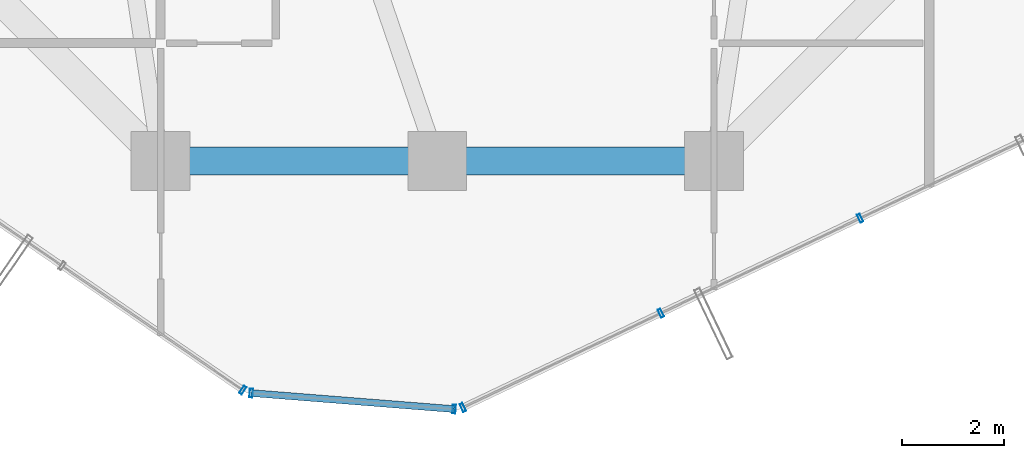
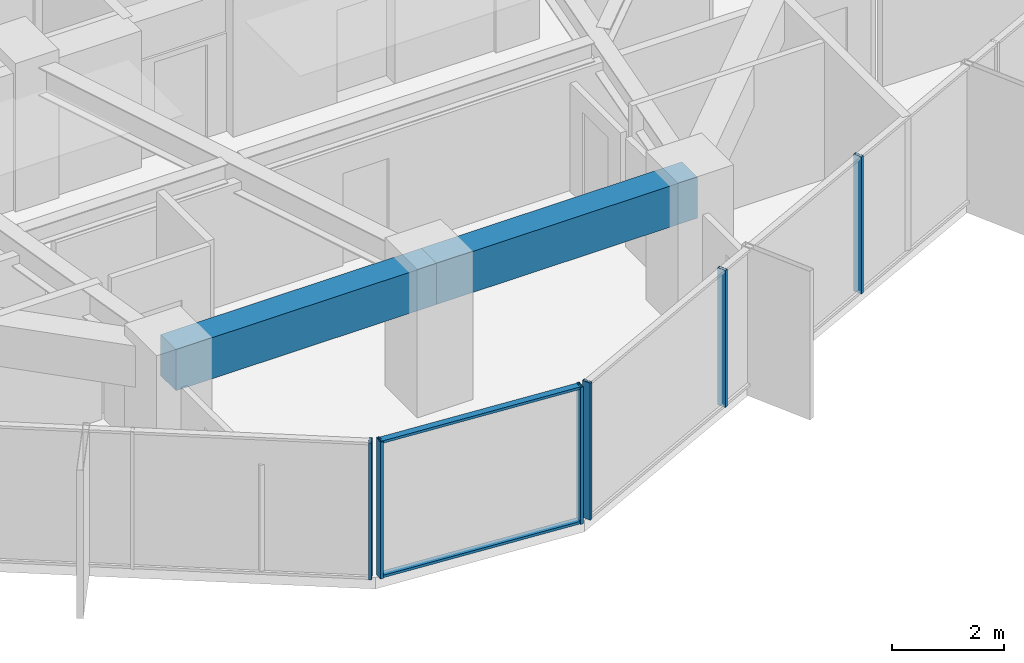
# One storey, part 6 of 30: 8 members, 2 beams, 3 elements without a shape of their own.
"""IFC4 building model written with IfcOpenShell, lengths in metres."""

from ifc_helpers import new_model, si_unit, direction, frame, origin, origin_2d, place, context, subcontext, project, spatial, rectangle, hollow_rectangle, extrude, source, transform, mapped, material, layer, layer_set, material_profile, profile_set, type_object, element, aggregate, save


model = new_model("IFC4")

# Units and contexts
model_context = context("Model", 3, precision=1e-05, world=origin(), true_north=direction((0.0, 1.0)))
body_context = subcontext(model_context, "Body", "Model", "MODEL_VIEW")
ifc_project = project(units=[si_unit("LENGTHUNIT", "METRE"), si_unit("AREAUNIT", "SQUARE_METRE"), si_unit("VOLUMEUNIT", "CUBIC_METRE"), si_unit("PLANEANGLEUNIT", "RADIAN"), si_unit("MASSUNIT", "GRAM", prefix="KILO")], contexts=[model_context])

# Site, building, storey
site_placement = place(None, origin())
site = spatial("IfcSite", under=ifc_project, at=site_placement, CompositionType="ELEMENT")
building_placement = place(site_placement, origin())
building = spatial("IfcBuilding", under=site, at=building_placement, Name="Veraguas Prism Commons", CompositionType="ELEMENT")
storey_placement = place(building_placement, frame((0.0, 0.0, 113.25)))
storey = spatial("IfcBuildingStorey", under=building, at=storey_placement, Name="L31", CompositionType="ELEMENT", Elevation=113.25)

# Beams
ifc_material_1 = material(Name="Concrete C50/60", Category="concrete")
ifc_material_profile_1 = material_profile(ifc_material_1, rectangle(XDim=0.550048828125, YDim=0.89990234375, at=origin_2d()), Name="RC550X900")
ifc_profile_set_1 = profile_set([ifc_material_profile_1], Name="Concrete C50/60")
beam_type = type_object("IfcBeamType", Name="Perimeter Spandrel Lower RC 550x900", PredefinedType="SPANDREL", material=ifc_profile_set_1)
for number, where, z_axis, x_axis, name in (
    (1, (18.60009765625, 7.800048828125, 2.550048828125), (1.0, 0.0, 0.0), (0.0, 1.0, 0.0), "Perimeter Spandrel Beam L31-SP10"),
    (2, (24.0, 7.800048828125, 2.550048828125), (1.0, 0.0, 0.0), (0.0, 1.0, 0.0), "Perimeter Spandrel Beam L31-SP11"),
):
    element("IfcBeam", number, at=place(storey_placement, frame(where, z_axis=z_axis, x_axis=x_axis)), inside=storey, type_object=beam_type, Name=name, PredefinedType="SPANDREL", context=body_context, shape_type="SweptSolid", body=[
        extrude(rectangle(XDim=0.550048828125, YDim=0.89990234375, at=origin_2d()), origin(), (0.0, 0.0, 1.0), 5.39990234375),
    ])

# Curtain wall, member
ifc_material_2 = material(Name="Anodised aluminium EN AW-6063 T6", Category="aluminium")
ifc_layer = layer(ifc_material_2, 0.169921875, Name="Unitised Flush Curtain Wall Zone 2", Category="aluminium")
ifc_layer_set = layer_set([ifc_layer], Name="Anodised aluminium EN AW-6063 T6")
curtain_wall_type = type_object("IfcCurtainWallType", Name="Unitised Flush Curtain Wall Zone 2", PredefinedType="NOTDEFINED", material=ifc_layer_set)
curtain_wall_1_placement = place(storey_placement, origin())
curtain_wall_1 = element("IfcCurtainWall", 3, at=curtain_wall_1_placement, inside=storey, type_object=curtain_wall_type, Name="Tower Facade Curtain Wall L31-F4", PredefinedType="NOTDEFINED")
ifc_material_profile_2 = material_profile(ifc_material_2, hollow_rectangle(XDim=0.06005859375, YDim=0.169921875, WallThickness=0.00390625, at=origin_2d()), Name="AL60X170X4")
ifc_profile_set_2 = profile_set([ifc_material_profile_2], Name="Anodised aluminium EN AW-6063 T6")
member_type_1 = type_object("IfcMemberType", Name="Curtain Wall Mullion Lower AL 60x170x4", PredefinedType="MULLION", material=ifc_profile_set_2)
shared_shape_1 = source(origin(), body_context, "Body", "SweptSolid", [
    extrude(hollow_rectangle(XDim=0.06005859375, YDim=0.169921875, WallThickness=0.00390625, at=origin_2d()), origin(), (0.0, 0.0, 1.0), 3.0),
])
member_1_placement = place(storey_placement, frame((20.20458984375, 3.32861328125, 0.0), z_axis=(0.0, 0.0, 1.0), x_axis=(0.823930403472, -0.566691000664, 0.0)))
member_1 = element("IfcMember", 4, at=member_1_placement, type_object=member_type_1, Name="CW-Z2 Mullion 5", PredefinedType="MULLION", context=body_context, shape_type="MappedRepresentation", body=[
    mapped(shared_shape_1, transform((0.0, 0.0, 0.0), scale=1.0)),
])
aggregate(curtain_wall_1, [member_1])

# Curtain wall, members
curtain_wall_2_placement = place(storey_placement, origin())
curtain_wall_2 = element("IfcCurtainWall", 5, at=curtain_wall_2_placement, inside=storey, type_object=curtain_wall_type, Name="Tower Facade Curtain Wall L31-F5", PredefinedType="NOTDEFINED")
member_2_placement = place(storey_placement, frame((24.500244140625, 2.989013671875, 0.0), z_axis=(0.0, 0.0, 1.0), x_axis=(0.902734004407, 0.430199160025, 0.0)))
member_2 = element("IfcMember", 6, at=member_2_placement, type_object=member_type_1, Name="CW-Z2 Mullion 1", PredefinedType="MULLION", context=body_context, shape_type="MappedRepresentation", body=[
    mapped(shared_shape_1, transform((0.0, 0.0, 0.0), scale=1.0)),
])
member_3_placement = place(storey_placement, frame((28.36279296875, 4.829833984375, 0.0), z_axis=(0.0, 0.0, 1.0), x_axis=(0.902734004407, 0.430199160025, 0.0)))
member_3 = element("IfcMember", 7, at=member_3_placement, type_object=member_type_1, Name="CW-Z2 Mullion 2", PredefinedType="MULLION", context=body_context, shape_type="MappedRepresentation", body=[
    mapped(shared_shape_1, transform((0.0, 0.0, 0.0), scale=1.0)),
])
member_4_placement = place(storey_placement, frame((32.252197265625, 6.683349609375, 0.0), z_axis=(0.0, 0.0, 1.0), x_axis=(0.902734004407, 0.430199160025, 0.0)))
member_4 = element("IfcMember", 8, at=member_4_placement, type_object=member_type_1, Name="CW-Z2 Mullion 3", PredefinedType="MULLION", context=body_context, shape_type="MappedRepresentation", body=[
    mapped(shared_shape_1, transform((0.0, 0.0, 0.0), scale=1.0)),
])
aggregate(curtain_wall_2, [member_2, member_3, member_4])

curtain_wall_3_placement = place(storey_placement, origin())
curtain_wall_3 = element("IfcCurtainWall", 9, at=curtain_wall_3_placement, inside=storey, type_object=curtain_wall_type, Name="Chamfer Curtain Wall L31-C5", PredefinedType="NOTDEFINED")
member_5_placement = place(storey_placement, frame((20.368408203125, 3.270751953125, 0.0), z_axis=(0.0, 0.0, 1.0), x_axis=(0.996888785155, -0.078820999939, 0.0)))
member_5 = element("IfcMember", 10, at=member_5_placement, type_object=member_type_1, Name="CW-Z2 Mullion 1", PredefinedType="MULLION", context=body_context, shape_type="MappedRepresentation", body=[
    mapped(shared_shape_1, transform((0.0, 0.0, 0.0), scale=1.0)),
])
member_6_placement = place(storey_placement, frame((24.329345703125, 2.95751953125, 0.0), z_axis=(0.0, 0.0, 1.0), x_axis=(0.996888785155, -0.078820999939, 0.0)))
member_6 = element("IfcMember", 11, at=member_6_placement, type_object=member_type_1, Name="CW-Z2 Mullion 2", PredefinedType="MULLION", context=body_context, shape_type="MappedRepresentation", body=[
    mapped(shared_shape_1, transform((0.0, 0.0, 0.0), scale=1.0)),
])
ifc_material_profile_3 = material_profile(ifc_material_2, hollow_rectangle(XDim=0.054931640625, YDim=0.135009765625, WallThickness=0.0029296875, at=origin_2d()), Name="AL55X135X3")
ifc_profile_set_3 = profile_set([ifc_material_profile_3], Name="Anodised aluminium EN AW-6063 T6")
member_type_2 = type_object("IfcMemberType", Name="Curtain Wall Transom Standard AL 55x135x3", PredefinedType="USERDEFINED", material=ifc_profile_set_3)
shared_shape_2 = source(origin(), body_context, "Body", "SweptSolid", [
    extrude(hollow_rectangle(XDim=0.054931640625, YDim=0.135009765625, WallThickness=0.0029296875, at=origin_2d()), origin(), (0.0, 0.0, 1.0), 3.973388671875),
])
member_7_placement = place(storey_placement, frame((20.368408203125, 3.270751953125, 0.027587890625), z_axis=(0.996887736964, -0.078834255826, 0.0), x_axis=(0.0, 0.0, 1.0)))
member_7 = element("IfcMember", 12, at=member_7_placement, type_object=member_type_2, Name="CW-Z2 Transom 1", ObjectType="TRANSOM", PredefinedType="USERDEFINED", context=body_context, shape_type="MappedRepresentation", body=[
    mapped(shared_shape_2, transform((0.0, 0.0, 0.0), scale=1.0)),
])
member_8_placement = place(storey_placement, frame((20.368408203125, 3.270751953125, 2.972412109375), z_axis=(0.996887736964, -0.078834255826, 0.0), x_axis=(0.0, 0.0, 1.0)))
member_8 = element("IfcMember", 13, at=member_8_placement, type_object=member_type_2, Name="CW-Z2 Transom 2", ObjectType="TRANSOM", PredefinedType="USERDEFINED", context=body_context, shape_type="MappedRepresentation", body=[
    mapped(shared_shape_2, transform((0.0, 0.0, 0.0), scale=1.0)),
])
aggregate(curtain_wall_3, [member_5, member_6, member_7, member_8])

save(model, "model.ifc")
